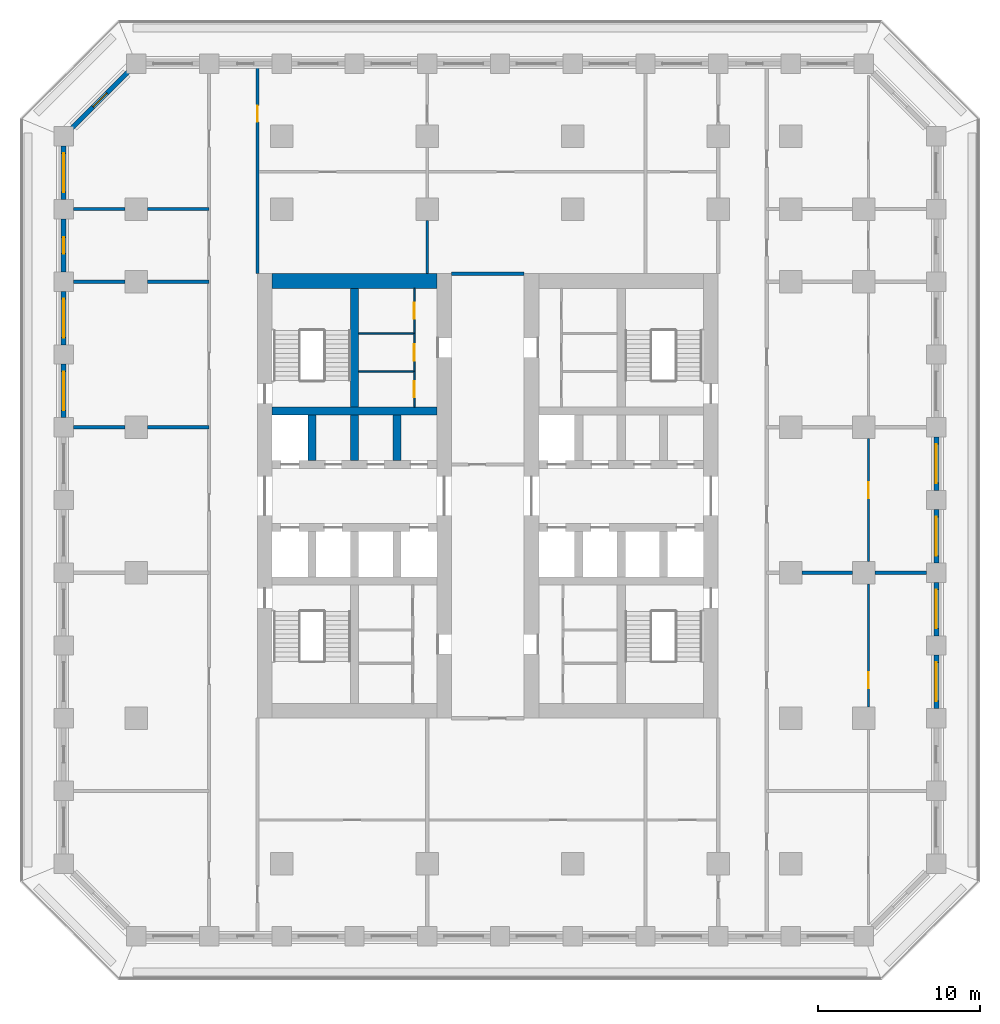
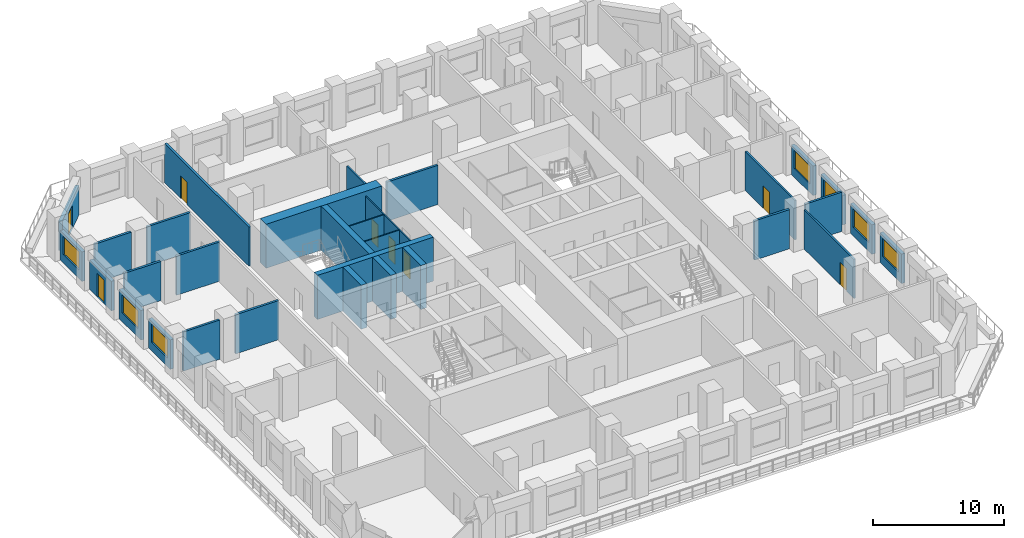
# One storey, part 6 of 17: 33 walls, 8 doors, 7 windows, 15 openings.
"""IFC4 building model written with IfcOpenShell, lengths in metres."""

from ifc_helpers import new_model, si_unit, direction, frame, frame_2d, origin, place, context, subcontext, project, spatial, rectangle, extrude, material, layer, layer_set, type_object, element, fill, save


model = new_model("IFC4")

# Units and contexts
model_context = context("Model", 3, precision=1e-05, world=origin(), true_north=direction((0.0, 1.0)))
body_context = subcontext(model_context, "Body", "Model", "MODEL_VIEW")
ifc_project = project(units=[si_unit("LENGTHUNIT", "METRE"), si_unit("AREAUNIT", "SQUARE_METRE"), si_unit("VOLUMEUNIT", "CUBIC_METRE"), si_unit("PLANEANGLEUNIT", "RADIAN"), si_unit("MASSUNIT", "GRAM", prefix="KILO")], contexts=[model_context])

# Site, building, storey
site_placement = place(None, origin())
site = spatial("IfcSite", under=ifc_project, at=site_placement, CompositionType="ELEMENT")
building_placement = place(site_placement, origin())
building = spatial("IfcBuilding", under=site, at=building_placement, Name="Corbel Stack Research Tower", CompositionType="ELEMENT")
storey_placement = place(building_placement, frame((0.0, 0.0, 94.300048828125)))
storey = spatial("IfcBuildingStorey", under=building, at=storey_placement, Name="L21", CompositionType="ELEMENT", Elevation=94.300048828125)

# Walls
ifc_material_1 = material(Name="Concrete C70/85", Category="concrete")
ifc_layer_1 = layer(ifc_material_1, 0.5)
ifc_layer_set_1 = layer_set([ifc_layer_1], Name="Concrete C70/85")
wall_type_1 = type_object("IfcWallType", Name="CW-500-70", PredefinedType="SHEAR", material=ifc_layer_set_1)
wall_1_placement = place(storey_placement, frame((-9.60009765625, 10.0, 0.0), z_axis=(0.0, 0.0, 1.0), x_axis=(1.0, 0.0, 0.0)))
element("IfcWall", 1, at=wall_1_placement, inside=storey, type_object=wall_type_1, Name="West core wall, north row back L21", PredefinedType="SHEAR", context=body_context, shape_type="SweptSolid", body=[
    extrude(rectangle(XDim=10.2001953125, YDim=0.5, at=frame_2d((5.10009765625, 0.0))), origin(), (0.0, 0.0, 1.0), 4.099853515625),
])
for number, where, z_axis, x_axis, name in (
    (2, (-7.125, 6.949951171875, 0.0), (0.0, 0.0, 1.0), (0.0, 1.0, 0.0), "West core wall, north shaft 1 L21"),
    (3, (-4.5, 6.949951171875, 0.0), (0.0, 0.0, 1.0), (0.0, 1.0, 0.0), "West core wall, north shaft 2 L21"),
    (4, (-1.875, 6.949951171875, 0.0), (0.0, 0.0, 1.0), (0.0, 1.0, 0.0), "West core wall, north shaft 3 L21"),
):
    element("IfcWall", number, at=place(storey_placement, frame(where, z_axis=z_axis, x_axis=x_axis)), inside=storey, type_object=wall_type_1, Name=name, PredefinedType="SHEAR", context=body_context, shape_type="SweptSolid", body=[
        extrude(rectangle(XDim=2.800048828125, YDim=0.5, at=frame_2d((1.39990234375, 0.0))), origin(), (0.0, 0.0, 1.0), 4.099853515625),
    ])
wall_2_placement = place(storey_placement, frame((-4.5, 10.25, 0.0), z_axis=(0.0, 0.0, 1.0), x_axis=(0.0, 1.0, 0.0)))
element("IfcWall", 5, at=wall_2_placement, inside=storey, type_object=wall_type_1, Name="West core wall, north stair and riser L21", PredefinedType="SHEAR", context=body_context, shape_type="SweptSolid", body=[
    extrude(rectangle(XDim=7.35009765625, YDim=0.5, at=frame_2d((3.675048828125, 0.0))), origin(), (0.0, 0.0, 1.0), 4.099853515625),
])
ifc_material_2 = material(Name="Concrete C70/85", Category="concrete")
ifc_layer_2 = layer(ifc_material_2, 0.89990234375)
ifc_layer_set_2 = layer_set([ifc_layer_2], Name="Concrete C70/85")
wall_type_2 = type_object("IfcWallType", Name="CW-900-70", PredefinedType="SHEAR", material=ifc_layer_set_2)
wall_3_placement = place(storey_placement, frame((-9.60009765625, 18.050048828125, 0.0), z_axis=(0.0, 0.0, 1.0), x_axis=(1.0, 0.0, 0.0)))
element("IfcWall", 6, at=wall_3_placement, inside=storey, type_object=wall_type_2, Name="West core wall, north end L21", PredefinedType="SHEAR", context=body_context, shape_type="SweptSolid", body=[
    extrude(rectangle(XDim=10.2001953125, YDim=0.89990234375, at=frame_2d((5.10009765625, 0.0))), origin(), (0.0, 0.0, 1.0), 4.099853515625),
])

# Wall, opening, door
ifc_material_3 = material(Name="Gypsum board")
ifc_layer_3 = layer(ifc_material_3, 0.10009765625)
ifc_layer_set_3 = layer_set([ifc_layer_3], Name="Gypsum board")
wall_type_3 = type_object("IfcWallType", Name="Core partition 100", PredefinedType="PARTITIONING", material=ifc_layer_set_3)
wall_4_placement = place(storey_placement, frame((-0.800048828125, 10.25, 0.0), z_axis=(0.0, 0.0, 1.0), x_axis=(0.0, 1.0, 0.0)))
wall_4 = element("IfcWall", 7, at=wall_4_placement, inside=storey, type_object=wall_type_3, Name="Core partition W", PredefinedType="PARTITIONING", context=body_context, shape_type="SweptSolid", body=[
    extrude(rectangle(XDim=2.205078125, YDim=0.10009765625, at=frame_2d((1.1025390625, 0.0))), origin(), (0.0, 0.0, 1.0), 3.64990234375),
])
opening_1_placement = place(wall_4_placement, frame((0.6025390625, 0.0, 0.0)))
opening_1 = element("IfcOpeningElement", 8, at=opening_1_placement, cuts=wall_4, Name="Opening CR-W12-R2-1000", PredefinedType="OPENING", context=body_context, shape_type="SweptSolid", body=[
    extrude(rectangle(XDim=1.0, YDim=2.10009765625, at=frame_2d((0.5, 1.050048828125))), frame((0.0, 0.06005859375, 0.0), z_axis=(0.0, -1.0, 0.0), x_axis=(1.0, 0.0, 0.0)), (0.0, 0.0, 1.0), 0.1201171875),
])
ifc_material_4 = material(Name="Painted steel door", Category="steel")
door_type_1 = type_object("IfcDoorType", Name="Riser door 1000 x 2100 FD60 right hand", OperationType="SINGLE_SWING_RIGHT", PredefinedType="DOOR", material=ifc_material_4)
door_1_placement = place(opening_1_placement, origin())
door_1 = element("IfcDoor", 9, at=door_1_placement, inside=storey, type_object=door_type_1, Name="Mechanical riser door W core", OperationType="SINGLE_SWING_RIGHT", OverallHeight=2.10009765625, OverallWidth=1.0, PredefinedType="DOOR", context=body_context, shape_type="SweptSolid", body=[
    extrude(rectangle(XDim=1.0, YDim=2.10009765625, at=frame_2d((0.5, 1.050048828125))), frame((0.0, 0.02490234375, 0.0), z_axis=(0.0, -1.0, 0.0), x_axis=(1.0, 0.0, 0.0)), (0.0, 0.0, 1.0), 0.050048828125),
])
fill(opening_1, door_1)

wall_5_placement = place(storey_placement, frame((-0.800048828125, 12.455078125, 0.0), z_axis=(0.0, 0.0, 1.0), x_axis=(0.0, 1.0, 0.0)))
wall_5 = element("IfcWall", 10, at=wall_5_placement, inside=storey, type_object=wall_type_3, Name="Core partition W", PredefinedType="PARTITIONING", context=body_context, shape_type="SweptSolid", body=[
    extrude(rectangle(XDim=2.351806640625, YDim=0.10009765625, at=frame_2d((1.17578125, 0.0))), origin(), (0.0, 0.0, 1.0), 3.64990234375),
])
opening_2_placement = place(wall_5_placement, frame((0.676025390625, 0.0, 0.0)))
opening_2 = element("IfcOpeningElement", 11, at=opening_2_placement, cuts=wall_5, Name="Opening CR-W12-R3-1000", PredefinedType="OPENING", context=body_context, shape_type="SweptSolid", body=[
    extrude(rectangle(XDim=1.0, YDim=2.10009765625, at=frame_2d((0.5, 1.050048828125))), frame((0.0, 0.06005859375, 0.0), z_axis=(0.0, -1.0, 0.0), x_axis=(1.0, 0.0, 0.0)), (0.0, 0.0, 1.0), 0.1201171875),
])
ifc_material_5 = material(Name="Painted steel door", Category="steel")
door_type_2 = type_object("IfcDoorType", Name="Service door 1000 x 2100 FD30 left hand", OperationType="SINGLE_SWING_LEFT", PredefinedType="DOOR", material=ifc_material_5)
door_2_placement = place(opening_2_placement, origin())
door_2 = element("IfcDoor", 12, at=door_2_placement, inside=storey, type_object=door_type_2, Name="Pantry door W core", OperationType="SINGLE_SWING_LEFT", OverallHeight=2.10009765625, OverallWidth=1.0, PredefinedType="DOOR", context=body_context, shape_type="SweptSolid", body=[
    extrude(rectangle(XDim=1.0, YDim=2.10009765625, at=frame_2d((0.5, 1.050048828125))), frame((0.0, 0.02490234375, 0.0), z_axis=(0.0, -1.0, 0.0), x_axis=(1.0, 0.0, 0.0)), (0.0, 0.0, 1.0), 0.050048828125),
])
fill(opening_2, door_2)

wall_6_placement = place(storey_placement, frame((-0.800048828125, 14.806884765625, 0.0), z_axis=(0.0, 0.0, 1.0), x_axis=(0.0, 1.0, 0.0)))
wall_6 = element("IfcWall", 13, at=wall_6_placement, inside=storey, type_object=wall_type_3, Name="Core partition W", PredefinedType="PARTITIONING", context=body_context, shape_type="SweptSolid", body=[
    extrude(rectangle(XDim=2.793212890625, YDim=0.10009765625, at=frame_2d((1.396484375, 0.0))), origin(), (0.0, 0.0, 1.0), 3.64990234375),
])
opening_3_placement = place(wall_6_placement, frame((0.896484375, 0.0, 0.0)))
opening_3 = element("IfcOpeningElement", 14, at=opening_3_placement, cuts=wall_6, Name="Opening CR-W12-R4-1000", PredefinedType="OPENING", context=body_context, shape_type="SweptSolid", body=[
    extrude(rectangle(XDim=1.0, YDim=2.10009765625, at=frame_2d((0.5, 1.050048828125))), frame((0.0, 0.06005859375, 0.0), z_axis=(0.0, -1.0, 0.0), x_axis=(1.0, 0.0, 0.0)), (0.0, 0.0, 1.0), 0.1201171875),
])
door_3_placement = place(opening_3_placement, origin())
door_3 = element("IfcDoor", 15, at=door_3_placement, inside=storey, type_object=door_type_1, Name="Electrical riser door W core", OperationType="SINGLE_SWING_RIGHT", OverallHeight=2.10009765625, OverallWidth=1.0, PredefinedType="DOOR", context=body_context, shape_type="SweptSolid", body=[
    extrude(rectangle(XDim=1.0, YDim=2.10009765625, at=frame_2d((0.5, 1.050048828125))), frame((0.0, 0.02490234375, 0.0), z_axis=(0.0, -1.0, 0.0), x_axis=(1.0, 0.0, 0.0)), (0.0, 0.0, 1.0), 0.050048828125),
])
fill(opening_3, door_3)

# Walls
for number, where, z_axis, x_axis, name in (
    (16, (-4.25, 12.455078125, 0.0), (0.0, 0.0, 1.0), (1.0, 0.0, 0.0), "Core partition W"),
    (17, (-4.25, 14.806884765625, 0.0), (0.0, 0.0, 1.0), (1.0, 0.0, 0.0), "Core partition W"),
):
    element("IfcWall", number, at=place(storey_placement, frame(where, z_axis=z_axis, x_axis=x_axis)), inside=storey, type_object=wall_type_3, Name=name, PredefinedType="PARTITIONING", context=body_context, shape_type="SweptSolid", body=[
        extrude(rectangle(XDim=3.449951171875, YDim=0.10009765625, at=frame_2d((1.72509765625, 0.0))), origin(), (0.0, 0.0, 1.0), 3.64990234375),
    ])

# Wall, opening, door
ifc_material_6 = material(Name="Fire-rated gypsum board partition on steel studs", Category="steel")
ifc_layer_4 = layer(ifc_material_6, 0.199951171875)
ifc_layer_set_4 = layer_set([ifc_layer_4], Name="Fire-rated gypsum board partition on steel studs")
wall_type_4 = type_object("IfcWallType", Name="Fire-rated partition 200 EI 60", PredefinedType="PARTITIONING", material=ifc_layer_set_4)
wall_7_placement = place(storey_placement, frame((-10.5, 31.35009765625, 0.0), z_axis=(0.0, 0.0, 1.0), x_axis=(0.0, -1.0, 0.0)))
wall_7 = element("IfcWall", 18, at=wall_7_placement, inside=storey, type_object=wall_type_4, Name="Partition L21-003", PredefinedType="PARTITIONING", context=body_context, shape_type="SweptSolid", body=[
    extrude(rectangle(XDim=12.85009765625, YDim=0.199951171875, at=frame_2d((6.425048828125, 0.0))), origin(), (0.0, 0.0, 1.0), 3.64990234375),
])
opening_4_placement = place(wall_7_placement, frame((2.449951171875, 0.0, 0.0)))
opening_4 = element("IfcOpeningElement", 19, at=opening_4_placement, cuts=wall_7, Name="Opening B3V1-011", PredefinedType="OPENING", context=body_context, shape_type="SweptSolid", body=[
    extrude(rectangle(XDim=1.0, YDim=2.10009765625, at=frame_2d((0.5, 1.050048828125))), frame((0.0, 0.10986328125, 0.0), z_axis=(0.0, -1.0, 0.0), x_axis=(1.0, 0.0, 0.0)), (0.0, 0.0, 1.0), 0.219970703125),
])
ifc_material_7 = material(Name="Painted steel fire door", Category="steel")
door_type_3 = type_object("IfcDoorType", Name="Fire door FD30S 1000 x 2100", OperationType="NOTDEFINED", PredefinedType="DOOR", material=ifc_material_7)
door_4_placement = place(opening_4_placement, origin())
door_4 = element("IfcDoor", 20, at=door_4_placement, inside=storey, type_object=door_type_3, Name="Door B3V1-011", OperationType="SINGLE_SWING_LEFT", OverallHeight=2.10009765625, OverallWidth=1.0, PredefinedType="DOOR", context=body_context, shape_type="SweptSolid", body=[
    extrude(rectangle(XDim=1.0, YDim=2.10009765625, at=frame_2d((0.5, 1.050048828125))), frame((0.0, 0.02490234375, 0.0), z_axis=(0.0, -1.0, 0.0), x_axis=(1.0, 0.0, 0.0)), (0.0, 0.0, 1.0), 0.050048828125),
])
fill(opening_4, door_4)

# Walls
wall_8_placement = place(storey_placement, frame((23.199951171875, 0.0, 0.0), z_axis=(0.0, 0.0, 1.0), x_axis=(1.0, 0.0, 0.0)))
element("IfcWall", 21, at=wall_8_placement, inside=storey, type_object=wall_type_4, Name="Partition L21-030", PredefinedType="PARTITIONING", context=body_context, shape_type="SweptSolid", body=[
    extrude(rectangle(XDim=3.10009765625, YDim=0.199951171875, at=frame_2d((1.550048828125, 0.0))), origin(), (0.0, 0.0, 1.0), 3.64990234375),
])
for number, where, z_axis, x_axis, name in (
    (22, (27.699951171875, 0.0, 0.0), (0.0, 0.0, 1.0), (1.0, 0.0, 0.0), "Partition L21-031"),
    (23, (-21.89990234375, 9.0, 0.0), (0.0, 0.0, 1.0), (1.0, 0.0, 0.0), "Partition L21-033"),
):
    element("IfcWall", number, at=place(storey_placement, frame(where, z_axis=z_axis, x_axis=x_axis)), inside=storey, type_object=wall_type_4, Name=name, PredefinedType="PARTITIONING", context=body_context, shape_type="SweptSolid", body=[
        extrude(rectangle(XDim=3.199951171875, YDim=0.199951171875, at=frame_2d((1.60009765625, 0.0))), origin(), (0.0, 0.0, 1.0), 3.64990234375),
    ])
wall_9_placement = place(storey_placement, frame((-17.300048828125, 9.0, 0.0), z_axis=(0.0, 0.0, 1.0), x_axis=(1.0, 0.0, 0.0)))
element("IfcWall", 24, at=wall_9_placement, inside=storey, type_object=wall_type_4, Name="Partition L21-034", PredefinedType="PARTITIONING", context=body_context, shape_type="SweptSolid", body=[
    extrude(rectangle(XDim=3.800048828125, YDim=0.199951171875, at=frame_2d((1.89990234375, 0.0))), origin(), (0.0, 0.0, 1.0), 3.64990234375),
])
wall_10_placement = place(storey_placement, frame((-21.89990234375, 18.0, 0.0), z_axis=(0.0, 0.0, 1.0), x_axis=(1.0, 0.0, 0.0)))
element("IfcWall", 25, at=wall_10_placement, inside=storey, type_object=wall_type_4, Name="Partition L21-038", PredefinedType="PARTITIONING", context=body_context, shape_type="SweptSolid", body=[
    extrude(rectangle(XDim=3.199951171875, YDim=0.199951171875, at=frame_2d((1.60009765625, 0.0))), origin(), (0.0, 0.0, 1.0), 3.64990234375),
])
wall_11_placement = place(storey_placement, frame((-17.300048828125, 18.0, 0.0), z_axis=(0.0, 0.0, 1.0), x_axis=(1.0, 0.0, 0.0)))
element("IfcWall", 26, at=wall_11_placement, inside=storey, type_object=wall_type_4, Name="Partition L21-039", PredefinedType="PARTITIONING", context=body_context, shape_type="SweptSolid", body=[
    extrude(rectangle(XDim=3.800048828125, YDim=0.199951171875, at=frame_2d((1.89990234375, 0.0))), origin(), (0.0, 0.0, 1.0), 3.64990234375),
])
wall_12_placement = place(storey_placement, frame((1.5, 18.5, 0.0), z_axis=(0.0, 0.0, 1.0), x_axis=(1.0, 0.0, 0.0)))
element("IfcWall", 27, at=wall_12_placement, inside=storey, type_object=wall_type_4, Name="Partition L21-043", PredefinedType="PARTITIONING", context=body_context, shape_type="SweptSolid", body=[
    extrude(rectangle(XDim=4.5, YDim=0.199951171875, at=frame_2d((2.25, 0.0))), origin(), (0.0, 0.0, 1.0), 3.64990234375),
])
wall_13_placement = place(storey_placement, frame((-21.89990234375, 22.5, 0.0), z_axis=(0.0, 0.0, 1.0), x_axis=(1.0, 0.0, 0.0)))
element("IfcWall", 28, at=wall_13_placement, inside=storey, type_object=wall_type_4, Name="Partition L21-044", PredefinedType="PARTITIONING", context=body_context, shape_type="SweptSolid", body=[
    extrude(rectangle(XDim=3.199951171875, YDim=0.199951171875, at=frame_2d((1.60009765625, 0.0))), origin(), (0.0, 0.0, 1.0), 3.64990234375),
])
wall_14_placement = place(storey_placement, frame((-17.300048828125, 22.5, 0.0), z_axis=(0.0, 0.0, 1.0), x_axis=(1.0, 0.0, 0.0)))
element("IfcWall", 29, at=wall_14_placement, inside=storey, type_object=wall_type_4, Name="Partition L21-045", PredefinedType="PARTITIONING", context=body_context, shape_type="SweptSolid", body=[
    extrude(rectangle(XDim=3.800048828125, YDim=0.199951171875, at=frame_2d((1.89990234375, 0.0))), origin(), (0.0, 0.0, 1.0), 3.64990234375),
])
ifc_material_8 = material(Name="Gypsum board partition on steel studs", Category="steel")
ifc_layer_5 = layer(ifc_material_8, 0.14990234375)
ifc_layer_set_5 = layer_set([ifc_layer_5], Name="Gypsum board partition on steel studs")
wall_type_5 = type_object("IfcWallType", Name="Partition 150", PredefinedType="PARTITIONING", material=ifc_layer_set_5)
wall_15_placement = place(storey_placement, frame((0.0, 18.5, 0.0), z_axis=(0.0, 0.0, 1.0), x_axis=(0.0, 1.0, 0.0)))
element("IfcWall", 30, at=wall_15_placement, inside=storey, type_object=wall_type_5, Name="Partition L21-004", PredefinedType="PARTITIONING", context=body_context, shape_type="SweptSolid", body=[
    extrude(rectangle(XDim=3.300048828125, YDim=0.14990234375, at=frame_2d((1.64990234375, 0.0))), origin(), (0.0, 0.0, 1.0), 3.64990234375),
])

# Wall, opening, door
wall_16_placement = place(storey_placement, frame((27.300048828125, -0.699951171875, 0.0), z_axis=(0.0, 0.0, 1.0), x_axis=(0.0, -1.0, 0.0)))
wall_16 = element("IfcWall", 31, at=wall_16_placement, inside=storey, type_object=wall_type_5, Name="Partition L21-018", PredefinedType="PARTITIONING", context=body_context, shape_type="SweptSolid", body=[
    extrude(rectangle(XDim=7.60009765625, YDim=0.14990234375, at=frame_2d((3.800048828125, 0.0))), origin(), (0.0, 0.0, 1.0), 3.64990234375),
])
opening_5_placement = place(wall_16_placement, frame((5.449951171875, 0.0, 0.0)))
opening_5 = element("IfcOpeningElement", 32, at=opening_5_placement, cuts=wall_16, Name="Opening B3V1-027", PredefinedType="OPENING", context=body_context, shape_type="SweptSolid", body=[
    extrude(rectangle(XDim=1.0, YDim=2.10009765625, at=frame_2d((0.5, 1.050048828125))), frame((0.0, 0.0849609375, 0.0), z_axis=(0.0, -1.0, 0.0), x_axis=(1.0, 0.0, 0.0)), (0.0, 0.0, 1.0), 0.169921875),
])
ifc_material_9 = material(Name="Painted timber door", Category="wood")
door_type_4 = type_object("IfcDoorType", Name="Single door 1000 x 2100", OperationType="NOTDEFINED", PredefinedType="DOOR", material=ifc_material_9)
door_5_placement = place(opening_5_placement, origin())
door_5 = element("IfcDoor", 33, at=door_5_placement, inside=storey, type_object=door_type_4, Name="Door B3V1-027", OperationType="SINGLE_SWING_RIGHT", OverallHeight=2.10009765625, OverallWidth=1.0, PredefinedType="DOOR", context=body_context, shape_type="SweptSolid", body=[
    extrude(rectangle(XDim=1.0, YDim=2.10009765625, at=frame_2d((0.5, 1.050048828125))), frame((0.0, 0.02490234375, 0.0), z_axis=(0.0, -1.0, 0.0), x_axis=(1.0, 0.0, 0.0)), (0.0, 0.0, 1.0), 0.050048828125),
])
fill(opening_5, door_5)

wall_17_placement = place(storey_placement, frame((27.300048828125, 8.300048828125, 0.0), z_axis=(0.0, 0.0, 1.0), x_axis=(0.0, -1.0, 0.0)))
wall_17 = element("IfcWall", 34, at=wall_17_placement, inside=storey, type_object=wall_type_5, Name="Partition L21-019", PredefinedType="PARTITIONING", context=body_context, shape_type="SweptSolid", body=[
    extrude(rectangle(XDim=7.60009765625, YDim=0.14990234375, at=frame_2d((3.800048828125, 0.0))), origin(), (0.0, 0.0, 1.0), 3.64990234375),
])
opening_6_placement = place(wall_17_placement, frame((2.699951171875, 0.0, 0.0)))
opening_6 = element("IfcOpeningElement", 35, at=opening_6_placement, cuts=wall_17, Name="Opening B3V1-028", PredefinedType="OPENING", context=body_context, shape_type="SweptSolid", body=[
    extrude(rectangle(XDim=1.0, YDim=2.10009765625, at=frame_2d((0.5, 1.050048828125))), frame((0.0, 0.0849609375, 0.0), z_axis=(0.0, -1.0, 0.0), x_axis=(1.0, 0.0, 0.0)), (0.0, 0.0, 1.0), 0.169921875),
])
door_6_placement = place(opening_6_placement, origin())
door_6 = element("IfcDoor", 36, at=door_6_placement, inside=storey, type_object=door_type_4, Name="Door B3V1-028", OperationType="SINGLE_SWING_LEFT", OverallHeight=2.10009765625, OverallWidth=1.0, PredefinedType="DOOR", context=body_context, shape_type="SweptSolid", body=[
    extrude(rectangle(XDim=1.0, YDim=2.10009765625, at=frame_2d((0.5, 1.050048828125))), frame((0.0, 0.02490234375, 0.0), z_axis=(0.0, -1.0, 0.0), x_axis=(1.0, 0.0, 0.0)), (0.0, 0.0, 1.0), 0.050048828125),
])
fill(opening_6, door_6)

# Wall, opening, window
ifc_material_10 = material(Name="Concrete C45/55", Category="concrete")
ifc_layer_6 = layer(ifc_material_10, 0.300048828125)
ifc_layer_set_6 = layer_set([ifc_layer_6], Name="Concrete C45/55")
wall_type_6 = type_object("IfcWallType", Name="Terracotta-faced concrete wall 300", PredefinedType="SOLIDWALL", material=ifc_layer_set_6)
wall_18_placement = place(storey_placement, frame((31.5, -5.10009765625, 0.0), z_axis=(0.0, 0.0, 1.0), x_axis=(0.0, -1.0, 0.0)))
wall_18 = element("IfcWall", 37, at=wall_18_placement, inside=storey, type_object=wall_type_6, Name="Facade wall L21 E03", PredefinedType="SOLIDWALL", context=body_context, shape_type="SweptSolid", body=[
    extrude(rectangle(XDim=3.2998046875, YDim=0.300048828125, at=frame_2d((1.64990234375, 0.0))), origin(), (0.0, 0.0, 1.0), 2.75),
])
opening_7_placement = place(wall_18_placement, frame((0.449951171875, 0.0, 0.800048828125)))
opening_7 = element("IfcOpeningElement", 38, at=opening_7_placement, cuts=wall_18, Name="Opening W1", PredefinedType="OPENING", context=body_context, shape_type="SweptSolid", body=[
    extrude(rectangle(XDim=2.39990234375, YDim=1.699951171875, at=frame_2d((1.199951171875, 0.85009765625))), frame((0.0, 0.159912109375, 0.0), z_axis=(0.0, -1.0, 0.0), x_axis=(1.0, 0.0, 0.0)), (0.0, 0.0, 1.0), 0.320068359375),
])
ifc_material_11 = material(Name="Aluminium frame, clear double glazing", Category="aluminium")
window_type = type_object("IfcWindowType", Name="Window W1 2400 x 1700", PartitioningType="SINGLE_PANEL", PredefinedType="WINDOW", material=ifc_material_11)
window_1_placement = place(opening_7_placement, origin())
window_1 = element("IfcWindow", 39, at=window_1_placement, inside=storey, type_object=window_type, Name="Window W1 L21 E03", OverallHeight=1.699951171875, OverallWidth=2.39990234375, PartitioningType="SINGLE_PANEL", PredefinedType="WINDOW", context=body_context, shape_type="SweptSolid", body=[
    extrude(rectangle(XDim=2.39990234375, YDim=1.699951171875, at=frame_2d((1.199951171875, 0.85009765625))), frame((0.0, 0.030029296875, 0.0), z_axis=(0.0, -1.0, 0.0), x_axis=(1.0, 0.0, 0.0)), (0.0, 0.0, 1.0), 0.06005859375),
])
fill(opening_7, window_1)

wall_19_placement = place(storey_placement, frame((31.5, -0.60009765625, 0.0), z_axis=(0.0, 0.0, 1.0), x_axis=(0.0, -1.0, 0.0)))
wall_19 = element("IfcWall", 40, at=wall_19_placement, inside=storey, type_object=wall_type_6, Name="Facade wall L21 E04", PredefinedType="SOLIDWALL", context=body_context, shape_type="SweptSolid", body=[
    extrude(rectangle(XDim=3.2998046875, YDim=0.300048828125, at=frame_2d((1.64990234375, 0.0))), origin(), (0.0, 0.0, 1.0), 2.75),
])
opening_8_placement = place(wall_19_placement, frame((0.449951171875, 0.0, 0.800048828125)))
opening_8 = element("IfcOpeningElement", 41, at=opening_8_placement, cuts=wall_19, Name="Opening W1", PredefinedType="OPENING", context=body_context, shape_type="SweptSolid", body=[
    extrude(rectangle(XDim=2.39990234375, YDim=1.699951171875, at=frame_2d((1.199951171875, 0.85009765625))), frame((0.0, 0.159912109375, 0.0), z_axis=(0.0, -1.0, 0.0), x_axis=(1.0, 0.0, 0.0)), (0.0, 0.0, 1.0), 0.320068359375),
])
window_2_placement = place(opening_8_placement, origin())
window_2 = element("IfcWindow", 42, at=window_2_placement, inside=storey, type_object=window_type, Name="Window W1 L21 E04", OverallHeight=1.699951171875, OverallWidth=2.39990234375, PartitioningType="SINGLE_PANEL", PredefinedType="WINDOW", context=body_context, shape_type="SweptSolid", body=[
    extrude(rectangle(XDim=2.39990234375, YDim=1.699951171875, at=frame_2d((1.199951171875, 0.85009765625))), frame((0.0, 0.030029296875, 0.0), z_axis=(0.0, -1.0, 0.0), x_axis=(1.0, 0.0, 0.0)), (0.0, 0.0, 1.0), 0.06005859375),
])
fill(opening_8, window_2)

wall_20_placement = place(storey_placement, frame((31.5, 3.89990234375, 0.0), z_axis=(0.0, 0.0, 1.0), x_axis=(0.0, -1.0, 0.0)))
wall_20 = element("IfcWall", 43, at=wall_20_placement, inside=storey, type_object=wall_type_6, Name="Facade wall L21 E05", PredefinedType="SOLIDWALL", context=body_context, shape_type="SweptSolid", body=[
    extrude(rectangle(XDim=3.2998046875, YDim=0.300048828125, at=frame_2d((1.64990234375, 0.0))), origin(), (0.0, 0.0, 1.0), 2.75),
])
opening_9_placement = place(wall_20_placement, frame((0.449951171875, 0.0, 0.800048828125)))
opening_9 = element("IfcOpeningElement", 44, at=opening_9_placement, cuts=wall_20, Name="Opening W1", PredefinedType="OPENING", context=body_context, shape_type="SweptSolid", body=[
    extrude(rectangle(XDim=2.39990234375, YDim=1.699951171875, at=frame_2d((1.199951171875, 0.85009765625))), frame((0.0, 0.159912109375, 0.0), z_axis=(0.0, -1.0, 0.0), x_axis=(1.0, 0.0, 0.0)), (0.0, 0.0, 1.0), 0.320068359375),
])
window_3_placement = place(opening_9_placement, origin())
window_3 = element("IfcWindow", 45, at=window_3_placement, inside=storey, type_object=window_type, Name="Window W1 L21 E05", OverallHeight=1.699951171875, OverallWidth=2.39990234375, PartitioningType="SINGLE_PANEL", PredefinedType="WINDOW", context=body_context, shape_type="SweptSolid", body=[
    extrude(rectangle(XDim=2.39990234375, YDim=1.699951171875, at=frame_2d((1.199951171875, 0.85009765625))), frame((0.0, 0.030029296875, 0.0), z_axis=(0.0, -1.0, 0.0), x_axis=(1.0, 0.0, 0.0)), (0.0, 0.0, 1.0), 0.06005859375),
])
fill(opening_9, window_3)

wall_21_placement = place(storey_placement, frame((31.5, 8.39990234375, 0.0), z_axis=(0.0, 0.0, 1.0), x_axis=(0.0, -1.0, 0.0)))
wall_21 = element("IfcWall", 46, at=wall_21_placement, inside=storey, type_object=wall_type_6, Name="Facade wall L21 E06", PredefinedType="SOLIDWALL", context=body_context, shape_type="SweptSolid", body=[
    extrude(rectangle(XDim=3.2998046875, YDim=0.300048828125, at=frame_2d((1.64990234375, 0.0))), origin(), (0.0, 0.0, 1.0), 2.75),
])
opening_10_placement = place(wall_21_placement, frame((0.449951171875, 0.0, 0.800048828125)))
opening_10 = element("IfcOpeningElement", 47, at=opening_10_placement, cuts=wall_21, Name="Opening W1", PredefinedType="OPENING", context=body_context, shape_type="SweptSolid", body=[
    extrude(rectangle(XDim=2.39990234375, YDim=1.699951171875, at=frame_2d((1.199951171875, 0.85009765625))), frame((0.0, 0.159912109375, 0.0), z_axis=(0.0, -1.0, 0.0), x_axis=(1.0, 0.0, 0.0)), (0.0, 0.0, 1.0), 0.320068359375),
])
window_4_placement = place(opening_10_placement, origin())
window_4 = element("IfcWindow", 48, at=window_4_placement, inside=storey, type_object=window_type, Name="Window W1 L21 E06", OverallHeight=1.699951171875, OverallWidth=2.39990234375, PartitioningType="SINGLE_PANEL", PredefinedType="WINDOW", context=body_context, shape_type="SweptSolid", body=[
    extrude(rectangle(XDim=2.39990234375, YDim=1.699951171875, at=frame_2d((1.199951171875, 0.85009765625))), frame((0.0, 0.030029296875, 0.0), z_axis=(0.0, -1.0, 0.0), x_axis=(1.0, 0.0, 0.0)), (0.0, 0.0, 1.0), 0.06005859375),
])
fill(opening_10, window_4)

# Wall, opening, door
wall_22_placement = place(storey_placement, frame((-22.006103515625, 27.493896484375, 0.0), z_axis=(0.0, 0.0, 1.0), x_axis=(0.707106781187, 0.707106781187, 0.0)))
wall_22 = element("IfcWall", 49, at=wall_22_placement, inside=storey, type_object=wall_type_6, Name="Facade wall L21 NW01", PredefinedType="SOLIDWALL", context=body_context, shape_type="SweptSolid", body=[
    extrude(rectangle(XDim=4.967041015625, YDim=0.300048828125, at=frame_2d((2.4833984375, 0.0))), origin(), (0.0, 0.0, 1.0), 2.75),
])
opening_11_placement = place(wall_22_placement, frame((1.883544921875, 0.0, 0.0)))
opening_11 = element("IfcOpeningElement", 50, at=opening_11_placement, cuts=wall_22, Name="Opening L21-B09", PredefinedType="OPENING", context=body_context, shape_type="SweptSolid", body=[
    extrude(rectangle(XDim=1.199951171875, YDim=2.199951171875, at=frame_2d((0.60009765625, 1.10009765625))), frame((0.0, 0.159912109375, 0.0), z_axis=(0.0, -1.0, 0.0), x_axis=(1.0, 0.0, 0.0)), (0.0, 0.0, 1.0), 0.320068359375),
])
ifc_material_12 = material(Name="Aluminium frame, clear double glazing", Category="aluminium")
door_type_5 = type_object("IfcDoorType", Name="Balcony door BD2 1200 x 2200", OperationType="NOTDEFINED", PredefinedType="DOOR", material=ifc_material_12)
door_7_placement = place(opening_11_placement, origin())
door_7 = element("IfcDoor", 51, at=door_7_placement, inside=storey, type_object=door_type_5, Name="Balcony door L21-B09", OperationType="SINGLE_SWING_RIGHT", OverallHeight=2.199951171875, OverallWidth=1.199951171875, PredefinedType="DOOR", context=body_context, shape_type="SweptSolid", body=[
    extrude(rectangle(XDim=1.199951171875, YDim=2.199951171875, at=frame_2d((0.60009765625, 1.10009765625))), frame((0.0, 0.02490234375, 0.0), z_axis=(0.0, -1.0, 0.0), x_axis=(1.0, 0.0, 0.0)), (0.0, 0.0, 1.0), 0.050048828125),
])
fill(opening_11, door_7)

# Wall, opening, window
wall_23_placement = place(storey_placement, frame((-22.5, 23.10009765625, 0.0), z_axis=(0.0, 0.0, 1.0), x_axis=(0.0, 1.0, 0.0)))
wall_23 = element("IfcWall", 52, at=wall_23_placement, inside=storey, type_object=wall_type_6, Name="Facade wall L21 W01", PredefinedType="SOLIDWALL", context=body_context, shape_type="SweptSolid", body=[
    extrude(rectangle(XDim=3.2998046875, YDim=0.300048828125, at=frame_2d((1.64990234375, 0.0))), origin(), (0.0, 0.0, 1.0), 2.75),
])
opening_12_placement = place(wall_23_placement, frame((0.449951171875, 0.0, 0.800048828125)))
opening_12 = element("IfcOpeningElement", 53, at=opening_12_placement, cuts=wall_23, Name="Opening W1", PredefinedType="OPENING", context=body_context, shape_type="SweptSolid", body=[
    extrude(rectangle(XDim=2.39990234375, YDim=1.699951171875, at=frame_2d((1.199951171875, 0.85009765625))), frame((0.0, 0.159912109375, 0.0), z_axis=(0.0, -1.0, 0.0), x_axis=(1.0, 0.0, 0.0)), (0.0, 0.0, 1.0), 0.320068359375),
])
window_5_placement = place(opening_12_placement, origin())
window_5 = element("IfcWindow", 54, at=window_5_placement, inside=storey, type_object=window_type, Name="Window W1 L21 W01", OverallHeight=1.699951171875, OverallWidth=2.39990234375, PartitioningType="SINGLE_PANEL", PredefinedType="WINDOW", context=body_context, shape_type="SweptSolid", body=[
    extrude(rectangle(XDim=2.39990234375, YDim=1.699951171875, at=frame_2d((1.199951171875, 0.85009765625))), frame((0.0, 0.030029296875, 0.0), z_axis=(0.0, -1.0, 0.0), x_axis=(1.0, 0.0, 0.0)), (0.0, 0.0, 1.0), 0.06005859375),
])
fill(opening_12, window_5)

# Wall, opening, door
wall_24_placement = place(storey_placement, frame((-22.5, 18.60009765625, 0.0), z_axis=(0.0, 0.0, 1.0), x_axis=(0.0, 1.0, 0.0)))
wall_24 = element("IfcWall", 55, at=wall_24_placement, inside=storey, type_object=wall_type_6, Name="Facade wall L21 W02", PredefinedType="SOLIDWALL", context=body_context, shape_type="SweptSolid", body=[
    extrude(rectangle(XDim=3.2998046875, YDim=0.300048828125, at=frame_2d((1.64990234375, 0.0))), origin(), (0.0, 0.0, 1.0), 2.75),
])
opening_13_placement = place(wall_24_placement, frame((1.14990234375, 0.0, 0.0)))
opening_13 = element("IfcOpeningElement", 56, at=opening_13_placement, cuts=wall_24, Name="Opening L21-B10", PredefinedType="OPENING", context=body_context, shape_type="SweptSolid", body=[
    extrude(rectangle(XDim=1.0, YDim=2.199951171875, at=frame_2d((0.5, 1.10009765625))), frame((0.0, 0.159912109375, 0.0), z_axis=(0.0, -1.0, 0.0), x_axis=(1.0, 0.0, 0.0)), (0.0, 0.0, 1.0), 0.320068359375),
])
ifc_material_13 = material(Name="Aluminium frame, clear double glazing", Category="aluminium")
door_type_6 = type_object("IfcDoorType", Name="Balcony door BD1 1000 x 2200", OperationType="NOTDEFINED", PredefinedType="DOOR", material=ifc_material_13)
door_8_placement = place(opening_13_placement, origin())
door_8 = element("IfcDoor", 57, at=door_8_placement, inside=storey, type_object=door_type_6, Name="Balcony door L21-B10", OperationType="SINGLE_SWING_LEFT", OverallHeight=2.199951171875, OverallWidth=1.0, PredefinedType="DOOR", context=body_context, shape_type="SweptSolid", body=[
    extrude(rectangle(XDim=1.0, YDim=2.199951171875, at=frame_2d((0.5, 1.10009765625))), frame((0.0, 0.02490234375, 0.0), z_axis=(0.0, -1.0, 0.0), x_axis=(1.0, 0.0, 0.0)), (0.0, 0.0, 1.0), 0.050048828125),
])
fill(opening_13, door_8)

# Wall, opening, window
wall_25_placement = place(storey_placement, frame((-22.5, 14.10009765625, 0.0), z_axis=(0.0, 0.0, 1.0), x_axis=(0.0, 1.0, 0.0)))
wall_25 = element("IfcWall", 58, at=wall_25_placement, inside=storey, type_object=wall_type_6, Name="Facade wall L21 W03", PredefinedType="SOLIDWALL", context=body_context, shape_type="SweptSolid", body=[
    extrude(rectangle(XDim=3.2998046875, YDim=0.300048828125, at=frame_2d((1.64990234375, 0.0))), origin(), (0.0, 0.0, 1.0), 2.75),
])
opening_14_placement = place(wall_25_placement, frame((0.449951171875, 0.0, 0.800048828125)))
opening_14 = element("IfcOpeningElement", 59, at=opening_14_placement, cuts=wall_25, Name="Opening W1", PredefinedType="OPENING", context=body_context, shape_type="SweptSolid", body=[
    extrude(rectangle(XDim=2.39990234375, YDim=1.699951171875, at=frame_2d((1.199951171875, 0.85009765625))), frame((0.0, 0.159912109375, 0.0), z_axis=(0.0, -1.0, 0.0), x_axis=(1.0, 0.0, 0.0)), (0.0, 0.0, 1.0), 0.320068359375),
])
window_6_placement = place(opening_14_placement, origin())
window_6 = element("IfcWindow", 60, at=window_6_placement, inside=storey, type_object=window_type, Name="Window W1 L21 W03", OverallHeight=1.699951171875, OverallWidth=2.39990234375, PartitioningType="SINGLE_PANEL", PredefinedType="WINDOW", context=body_context, shape_type="SweptSolid", body=[
    extrude(rectangle(XDim=2.39990234375, YDim=1.699951171875, at=frame_2d((1.199951171875, 0.85009765625))), frame((0.0, 0.030029296875, 0.0), z_axis=(0.0, -1.0, 0.0), x_axis=(1.0, 0.0, 0.0)), (0.0, 0.0, 1.0), 0.06005859375),
])
fill(opening_14, window_6)

wall_26_placement = place(storey_placement, frame((-22.5, 9.60009765625, 0.0), z_axis=(0.0, 0.0, 1.0), x_axis=(0.0, 1.0, 0.0)))
wall_26 = element("IfcWall", 61, at=wall_26_placement, inside=storey, type_object=wall_type_6, Name="Facade wall L21 W04", PredefinedType="SOLIDWALL", context=body_context, shape_type="SweptSolid", body=[
    extrude(rectangle(XDim=3.2998046875, YDim=0.300048828125, at=frame_2d((1.64990234375, 0.0))), origin(), (0.0, 0.0, 1.0), 2.75),
])
opening_15_placement = place(wall_26_placement, frame((0.449951171875, 0.0, 0.800048828125)))
opening_15 = element("IfcOpeningElement", 62, at=opening_15_placement, cuts=wall_26, Name="Opening W1", PredefinedType="OPENING", context=body_context, shape_type="SweptSolid", body=[
    extrude(rectangle(XDim=2.39990234375, YDim=1.699951171875, at=frame_2d((1.199951171875, 0.85009765625))), frame((0.0, 0.159912109375, 0.0), z_axis=(0.0, -1.0, 0.0), x_axis=(1.0, 0.0, 0.0)), (0.0, 0.0, 1.0), 0.320068359375),
])
window_7_placement = place(opening_15_placement, origin())
window_7 = element("IfcWindow", 63, at=window_7_placement, inside=storey, type_object=window_type, Name="Window W1 L21 W04", OverallHeight=1.699951171875, OverallWidth=2.39990234375, PartitioningType="SINGLE_PANEL", PredefinedType="WINDOW", context=body_context, shape_type="SweptSolid", body=[
    extrude(rectangle(XDim=2.39990234375, YDim=1.699951171875, at=frame_2d((1.199951171875, 0.85009765625))), frame((0.0, 0.030029296875, 0.0), z_axis=(0.0, -1.0, 0.0), x_axis=(1.0, 0.0, 0.0)), (0.0, 0.0, 1.0), 0.06005859375),
])
fill(opening_15, window_7)

save(model, "model.ifc")
